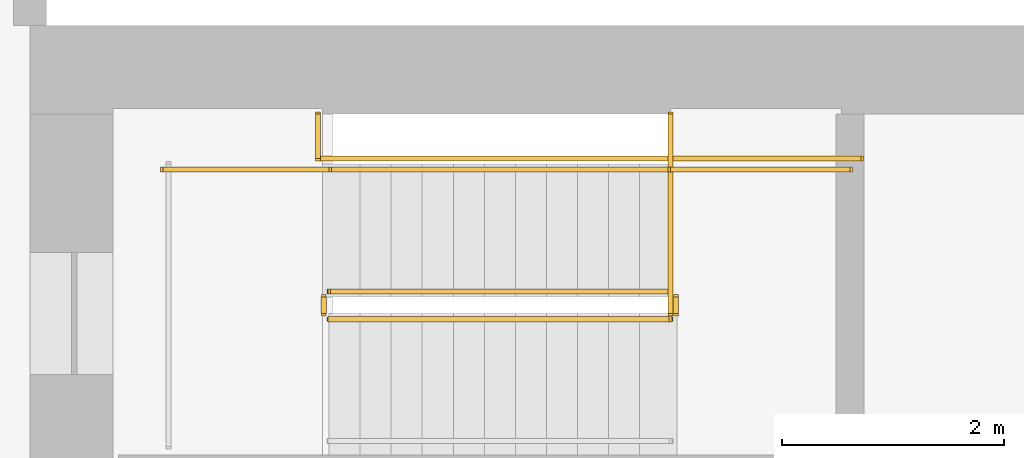
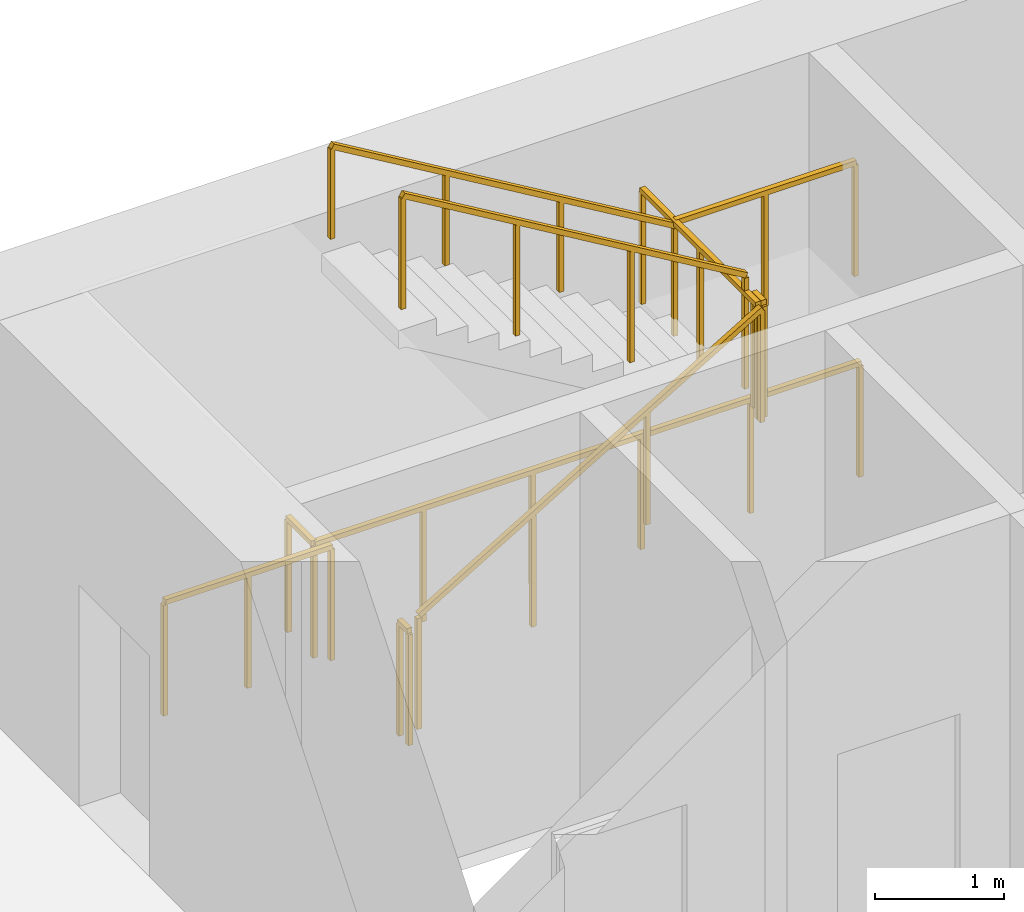
# One storey, part 12 of 12: 10 railings.
"""IFC4 building model written with IfcOpenShell, lengths in metres."""

from ifc_helpers import new_model, si_unit, direction, frame, origin, origin_2d, place, context, subcontext, project, spatial, rectangle, extrude, material, type_object, element, save


model = new_model("IFC4")

# Units and contexts
model_context = context("Model", 3, precision=1e-05, world=origin(), true_north=direction((0.0, 1.0)))
body_context = subcontext(model_context, "Body", "Model", "MODEL_VIEW")
ifc_project = project(units=[si_unit("LENGTHUNIT", "METRE"), si_unit("AREAUNIT", "SQUARE_METRE"), si_unit("VOLUMEUNIT", "CUBIC_METRE"), si_unit("PLANEANGLEUNIT", "RADIAN"), si_unit("MASSUNIT", "GRAM", prefix="KILO")], contexts=[model_context])

# Site, building, storey
site_placement = place(None, origin())
site = spatial("IfcSite", under=ifc_project, at=site_placement, CompositionType="ELEMENT")
building_placement = place(site_placement, origin())
building = spatial("IfcBuilding", under=site, at=building_placement, Name="Sennacour Bend Tower", CompositionType="ELEMENT")
storey_placement = place(building_placement, frame((0.0, 0.0, 265.0)))
storey = spatial("IfcBuildingStorey", under=building, at=storey_placement, Name="L61", CompositionType="ELEMENT", Elevation=265.0)

# Railings
ifc_material = material(Name="Stainless steel", Category="steel")
railing_type_1 = type_object("IfcRailingType", Name="RL-GUARD-1100", PredefinedType="GUARDRAIL", material=ifc_material)
railing_1_placement = place(storey_placement, frame((56.699951171875, 19.85009765625, 0.166748046875)))
element("IfcRailing", 1, at=railing_1_placement, inside=storey, type_object=railing_type_1, Name="L61 SA2 stair guard 1", PredefinedType="GUARDRAIL", context=body_context, shape_type="SweptSolid", body=[
    extrude(rectangle(XDim=0.048095703125, YDim=0.048095703125, at=origin_2d()), frame((0.0, 0.0, 1.076171875), z_axis=(0.859308565015, 0.0, 0.511457515432), x_axis=(0.0, 1.0, 0.0)), (0.0, 0.0, 1.0), 3.58447265625),
    extrude(rectangle(XDim=0.0419921875, YDim=0.0419921875, at=origin_2d()), origin(), (0.0, 0.0, 1.0), 1.052001953125),
    extrude(rectangle(XDim=0.0419921875, YDim=0.0419921875, at=origin_2d()), frame((1.026611328125, 0.0, 0.611083984375)), (0.0, 0.0, 1.0), 1.052001953125),
    extrude(rectangle(XDim=0.0419921875, YDim=0.0419921875, at=origin_2d()), frame((2.053466796875, 0.0, 1.22216796875)), (0.0, 0.0, 1.0), 1.052001953125),
    extrude(rectangle(XDim=0.0419921875, YDim=0.0419921875, at=origin_2d()), frame((3.080078125, 0.0, 1.833251953125)), (0.0, 0.0, 1.0), 1.052001953125),
])
railing_2_placement = place(storey_placement, frame((59.830078125, 19.89990234375, 2.0)))
element("IfcRailing", 2, at=railing_2_placement, inside=storey, type_object=railing_type_1, Name="L61 SA2 stair guard 2", PredefinedType="GUARDRAIL", context=body_context, shape_type="SweptSolid", body=[
    extrude(rectangle(XDim=0.048095703125, YDim=0.048095703125, at=origin_2d()), frame((0.0, 0.0, 1.076171875), z_axis=(0.0, 1.0, 0.0), x_axis=(-1.0, 0.0, 0.0)), (0.0, 0.0, 1.0), 0.150146484375),
    extrude(rectangle(XDim=0.0419921875, YDim=0.0419921875, at=origin_2d()), origin(), (0.0, 0.0, 1.0), 1.052001953125),
    extrude(rectangle(XDim=0.0419921875, YDim=0.0419921875, at=origin_2d()), frame((0.0, 0.150146484375, 0.0)), (0.0, 0.0, 1.0), 1.052001953125),
])
railing_3_placement = place(storey_placement, frame((59.780029296875, 21.199951171875, 2.0)))
element("IfcRailing", 3, at=railing_3_placement, inside=storey, type_object=railing_type_1, Name="L61 SA2 stair guard 3", PredefinedType="GUARDRAIL", context=body_context, shape_type="SweptSolid", body=[
    extrude(rectangle(XDim=0.048095703125, YDim=0.048095703125, at=origin_2d()), frame((0.0, 0.0, 1.076171875), z_axis=(1.0, 0.0, 0.0), x_axis=(0.0, 1.0, 0.0)), (0.0, 0.0, 1.0), 1.619873046875),
    extrude(rectangle(XDim=0.0419921875, YDim=0.0419921875, at=origin_2d()), origin(), (0.0, 0.0, 1.0), 1.052001953125),
    extrude(rectangle(XDim=0.0419921875, YDim=0.0419921875, at=origin_2d()), frame((0.81005859375, 0.0, 0.0)), (0.0, 0.0, 1.0), 1.052001953125),
    extrude(rectangle(XDim=0.0419921875, YDim=0.0419921875, at=origin_2d()), frame((1.619873046875, 0.0, 0.0)), (0.0, 0.0, 1.0), 1.052001953125),
])
railing_4_placement = place(storey_placement, frame((59.780029296875, 20.10009765625, 2.166748046875)))
element("IfcRailing", 4, at=railing_4_placement, inside=storey, type_object=railing_type_1, Name="L61 SA2 stair guard 4", PredefinedType="GUARDRAIL", context=body_context, shape_type="SweptSolid", body=[
    extrude(rectangle(XDim=0.048095703125, YDim=0.048095703125, at=origin_2d()), frame((0.0, 0.0, 1.076171875), z_axis=(-0.859308565015, 0.0, 0.511457515432), x_axis=(0.0, -1.0, 0.0)), (0.0, 0.0, 1.0), 3.58447265625),
    extrude(rectangle(XDim=0.0419921875, YDim=0.0419921875, at=origin_2d()), origin(), (0.0, 0.0, 1.0), 1.052001953125),
    extrude(rectangle(XDim=0.0419921875, YDim=0.0419921875, at=origin_2d()), frame((-1.026611328125, 0.0, 0.611083984375)), (0.0, 0.0, 1.0), 1.052001953125),
    extrude(rectangle(XDim=0.0419921875, YDim=0.0419921875, at=origin_2d()), frame((-2.053466796875, 0.0, 1.22216796875)), (0.0, 0.0, 1.0), 1.052001953125),
    extrude(rectangle(XDim=0.0419921875, YDim=0.0419921875, at=origin_2d()), frame((-3.080078125, 0.0, 1.833251953125)), (0.0, 0.0, 1.0), 1.052001953125),
])
railing_5_placement = place(storey_placement, frame((56.64990234375, 19.89990234375, 0.0)))
element("IfcRailing", 5, at=railing_5_placement, inside=storey, type_object=railing_type_1, Name="L61 SA2 stair guard 5", PredefinedType="GUARDRAIL", context=body_context, shape_type="SweptSolid", body=[
    extrude(rectangle(XDim=0.048095703125, YDim=0.048095703125, at=origin_2d()), frame((0.0, 0.0, 1.076171875), z_axis=(0.0, 1.0, 0.0), x_axis=(-1.0, 0.0, 0.0)), (0.0, 0.0, 1.0), 0.150146484375),
    extrude(rectangle(XDim=0.0419921875, YDim=0.0419921875, at=origin_2d()), origin(), (0.0, 0.0, 1.0), 1.052001953125),
    extrude(rectangle(XDim=0.0419921875, YDim=0.0419921875, at=origin_2d()), frame((0.0, 0.150146484375, 0.0)), (0.0, 0.0, 1.0), 1.052001953125),
])
railing_6_placement = place(storey_placement, frame((55.199951171875, 21.199951171875, 0.0)))
element("IfcRailing", 6, at=railing_6_placement, inside=storey, type_object=railing_type_1, Name="L61 SA2 stair guard 6", PredefinedType="GUARDRAIL", context=body_context, shape_type="SweptSolid", body=[
    extrude(rectangle(XDim=0.048095703125, YDim=0.048095703125, at=origin_2d()), frame((0.0, 0.0, 1.076171875), z_axis=(1.0, 0.0, 0.0), x_axis=(0.0, 1.0, 0.0)), (0.0, 0.0, 1.0), 1.5),
    extrude(rectangle(XDim=0.0419921875, YDim=0.0419921875, at=origin_2d()), origin(), (0.0, 0.0, 1.0), 1.052001953125),
    extrude(rectangle(XDim=0.0419921875, YDim=0.0419921875, at=origin_2d()), frame((0.75, 0.0, 0.0)), (0.0, 0.0, 1.0), 1.052001953125),
    extrude(rectangle(XDim=0.0419921875, YDim=0.0419921875, at=origin_2d()), frame((1.5, 0.0, 0.0)), (0.0, 0.0, 1.0), 1.052001953125),
])
railing_7_placement = place(storey_placement, frame((56.60009765625, 21.300048828125, 0.0)))
element("IfcRailing", 7, at=railing_7_placement, inside=storey, type_object=railing_type_1, Name="L61 SA2 stair guard 8", PredefinedType="GUARDRAIL", context=body_context, shape_type="SweptSolid", body=[
    extrude(rectangle(XDim=0.048095703125, YDim=0.048095703125, at=origin_2d()), frame((0.0, 0.0, 1.076171875), z_axis=(1.0, 0.0, 0.0), x_axis=(0.0, 1.0, 0.0)), (0.0, 0.0, 1.0), 4.89990234375),
    extrude(rectangle(XDim=0.0419921875, YDim=0.0419921875, at=origin_2d()), origin(), (0.0, 0.0, 1.0), 1.052001953125),
    extrude(rectangle(XDim=0.0419921875, YDim=0.0419921875, at=origin_2d()), frame((0.97998046875, 0.0, 0.0)), (0.0, 0.0, 1.0), 1.052001953125),
    extrude(rectangle(XDim=0.0419921875, YDim=0.0419921875, at=origin_2d()), frame((1.9599609375, 0.0, 0.0)), (0.0, 0.0, 1.0), 1.052001953125),
    extrude(rectangle(XDim=0.0419921875, YDim=0.0419921875, at=origin_2d()), frame((2.93994140625, 0.0, 0.0)), (0.0, 0.0, 1.0), 1.052001953125),
    extrude(rectangle(XDim=0.0419921875, YDim=0.0419921875, at=origin_2d()), frame((3.919921875, 0.0, 0.0)), (0.0, 0.0, 1.0), 1.052001953125),
    extrude(rectangle(XDim=0.0419921875, YDim=0.0419921875, at=origin_2d()), frame((4.89990234375, 0.0, 0.0)), (0.0, 0.0, 1.0), 1.052001953125),
])
railing_8_placement = place(storey_placement, frame((59.780029296875, 19.89990234375, 2.0)))
element("IfcRailing", 8, at=railing_8_placement, inside=storey, type_object=railing_type_1, Name="L61 SA2 landing edge guard 81", PredefinedType="GUARDRAIL", context=body_context, shape_type="SweptSolid", body=[
    extrude(rectangle(XDim=0.048095703125, YDim=0.048095703125, at=origin_2d()), frame((0.0, 0.0, 1.076171875), z_axis=(0.0, 1.0, 0.0), x_axis=(-1.0, 0.0, 0.0)), (0.0, 0.0, 1.0), 1.800048828125),
    extrude(rectangle(XDim=0.0419921875, YDim=0.0419921875, at=origin_2d()), origin(), (0.0, 0.0, 1.0), 1.052001953125),
    extrude(rectangle(XDim=0.0419921875, YDim=0.0419921875, at=origin_2d()), frame((0.0, 0.89990234375, 0.0)), (0.0, 0.0, 1.0), 1.052001953125),
    extrude(rectangle(XDim=0.0419921875, YDim=0.0419921875, at=origin_2d()), frame((0.0, 1.800048828125, 0.0)), (0.0, 0.0, 1.0), 1.052001953125),
])
railing_9_placement = place(storey_placement, frame((56.60009765625, 21.300048828125, 0.0)))
element("IfcRailing", 9, at=railing_9_placement, inside=storey, type_object=railing_type_1, Name="L61 SA2 landing edge guard 115", PredefinedType="GUARDRAIL", context=body_context, shape_type="SweptSolid", body=[
    extrude(rectangle(XDim=0.048095703125, YDim=0.048095703125, at=origin_2d()), frame((0.0, 0.0, 1.076171875), z_axis=(0.0, 1.0, 0.0), x_axis=(-1.0, 0.0, 0.0)), (0.0, 0.0, 1.0), 0.39990234375),
    extrude(rectangle(XDim=0.0419921875, YDim=0.0419921875, at=origin_2d()), origin(), (0.0, 0.0, 1.0), 1.052001953125),
    extrude(rectangle(XDim=0.0419921875, YDim=0.0419921875, at=origin_2d()), frame((0.0, 0.39990234375, 0.0)), (0.0, 0.0, 1.0), 1.052001953125),
])
railing_type_2 = type_object("IfcRailingType", Name="RL-HANDRAIL-900", PredefinedType="HANDRAIL", material=ifc_material)
railing_10_placement = place(storey_placement, frame((59.780029296875, 21.199951171875, 2.166748046875)))
element("IfcRailing", 10, at=railing_10_placement, inside=storey, type_object=railing_type_2, Name="L61 SA2 stair handrail 2", PredefinedType="HANDRAIL", context=body_context, shape_type="SweptSolid", body=[
    extrude(rectangle(XDim=0.048095703125, YDim=0.048095703125, at=origin_2d()), frame((0.0, 0.0, 0.8759765625), z_axis=(-0.859308565015, 0.0, 0.511457515432), x_axis=(0.0, -1.0, 0.0)), (0.0, 0.0, 1.0), 3.58447265625),
    extrude(rectangle(XDim=0.0419921875, YDim=0.0419921875, at=origin_2d()), origin(), (0.0, 0.0, 1.0), 0.851806640625),
    extrude(rectangle(XDim=0.0419921875, YDim=0.0419921875, at=origin_2d()), frame((-1.026611328125, 0.0, 0.611083984375)), (0.0, 0.0, 1.0), 0.851806640625),
    extrude(rectangle(XDim=0.0419921875, YDim=0.0419921875, at=origin_2d()), frame((-2.053466796875, 0.0, 1.22216796875)), (0.0, 0.0, 1.0), 0.851806640625),
    extrude(rectangle(XDim=0.0419921875, YDim=0.0419921875, at=origin_2d()), frame((-3.080078125, 0.0, 1.833251953125)), (0.0, 0.0, 1.0), 0.851806640625),
])

save(model, "model.ifc")
